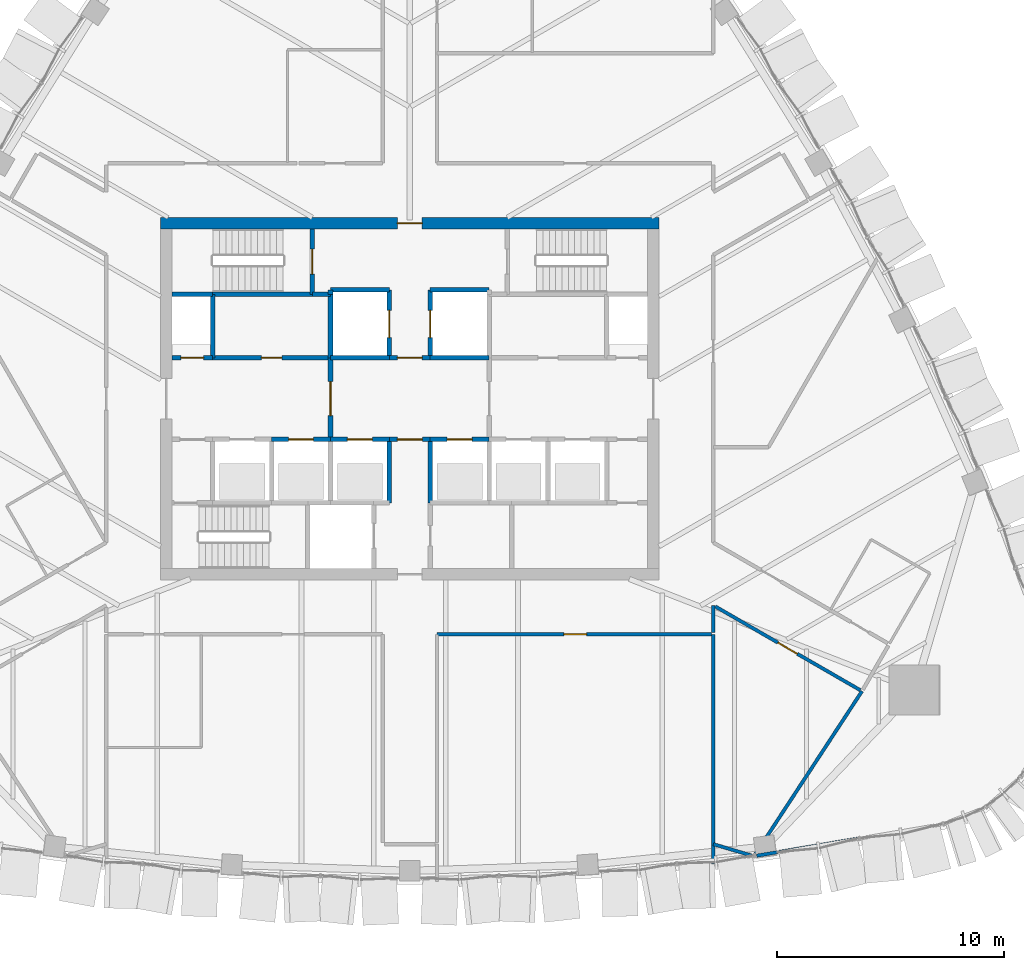
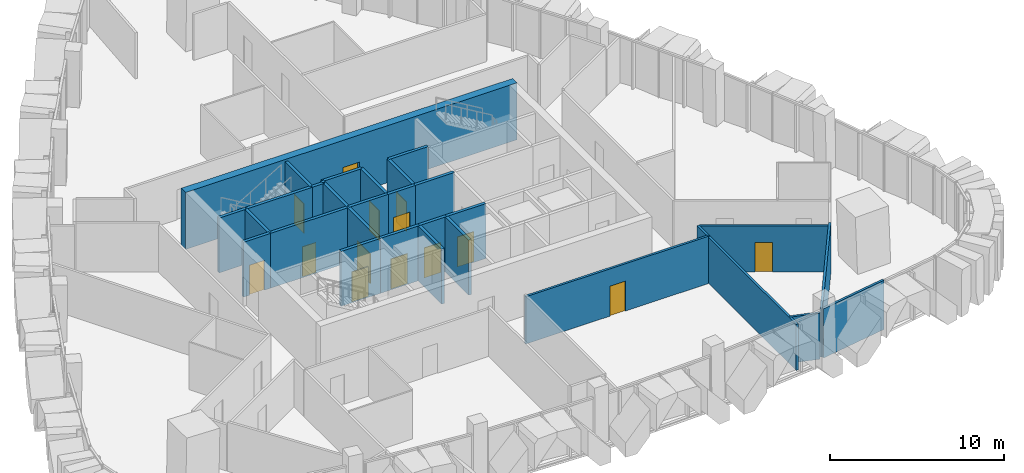
# One storey, part 13 of 19: 31 walls, 14 doors, 14 openings.
"""IFC4 building model written with IfcOpenShell, lengths in metres."""

from ifc_helpers import new_model, si_unit, direction, frame, frame_2d, origin, place, context, subcontext, project, spatial, rectangle, extrude, material, layer, layer_set, type_object, element, fill, save


model = new_model("IFC4")

# Units and contexts
model_context = context("Model", 3, precision=1e-05, world=origin(), true_north=direction((0.0, 1.0)))
body_context = subcontext(model_context, "Body", "Model", "MODEL_VIEW")
ifc_project = project(units=[si_unit("LENGTHUNIT", "METRE"), si_unit("AREAUNIT", "SQUARE_METRE"), si_unit("VOLUMEUNIT", "CUBIC_METRE"), si_unit("PLANEANGLEUNIT", "RADIAN"), si_unit("MASSUNIT", "GRAM", prefix="KILO")], contexts=[model_context])

# Site, building, storey
site_placement = place(None, origin())
site = spatial("IfcSite", under=ifc_project, at=site_placement, CompositionType="ELEMENT")
building_placement = place(site_placement, origin())
building = spatial("IfcBuilding", under=site, at=building_placement, Name="Sierra Prisma Convention Tower", CompositionType="ELEMENT")
storey_placement = place(building_placement, frame((0.0, 0.0, 231.0)))
storey = spatial("IfcBuildingStorey", under=building, at=storey_placement, Name="L51", CompositionType="ELEMENT", Elevation=231.0)

# Wall, opening, door
ifc_material_1 = material(Name="Concrete C30/37", Category="concrete")
ifc_layer_1 = layer(ifc_material_1, 0.199951171875)
ifc_layer_set_1 = layer_set([ifc_layer_1], Name="Core wall RC 200 C30/37")
wall_type_1 = type_object("IfcWallType", Name="Core wall RC 200 C30/37", PredefinedType="SOLIDWALL", material=ifc_layer_set_1)
wall_1_placement = place(storey_placement, frame((-8.699951171875, 1.800048828125, 0.0), z_axis=(0.0, 0.0, 1.0), x_axis=(-1.0, 0.0, 0.0)))
wall_1 = element("IfcWall", 1, at=wall_1_placement, inside=storey, type_object=wall_type_1, Name="Core wall L51 3", PredefinedType="SOLIDWALL", context=body_context, shape_type="SweptSolid", body=[
    extrude(rectangle(XDim=1.800048828125, YDim=0.199951171875, at=frame_2d((0.89990234375, 0.0))), origin(), (0.0, 0.0, 1.0), 3.85009765625),
])
opening_1_placement = place(wall_1_placement, frame((0.39990234375, 0.0, 0.0)))
opening_1 = element("IfcOpeningElement", 2, at=opening_1_placement, cuts=wall_1, Name="Opening L51-D015", PredefinedType="OPENING", context=body_context, shape_type="SweptSolid", body=[
    extrude(rectangle(XDim=1.0, YDim=2.10009765625, at=frame_2d((0.5, 1.050048828125))), frame((0.0, 0.10009765625, 0.0), z_axis=(0.0, -1.0, 0.0), x_axis=(1.0, 0.0, 0.0)), (0.0, 0.0, 1.0), 0.199951171875),
])
ifc_material_2 = material(Name="Steel fire door leaf", Category="steel")
door_type_1 = type_object("IfcDoorType", Name="Door 1000x2100 FD60S", OperationType="SINGLE_SWING_LEFT", PredefinedType="DOOR", material=ifc_material_2)
door_1_placement = place(opening_1_placement, origin())
door_1 = element("IfcDoor", 3, at=door_1_placement, inside=storey, type_object=door_type_1, Name="Door L51 31", OperationType="SINGLE_SWING_LEFT", OverallHeight=2.10009765625, OverallWidth=1.0, PredefinedType="DOOR", context=body_context, shape_type="SweptSolid", body=[
    extrude(rectangle(XDim=1.0, YDim=2.10009765625, at=frame_2d((0.5, 1.050048828125))), frame((0.0, 0.02490234375, 0.0), z_axis=(0.0, -1.0, 0.0), x_axis=(1.0, 0.0, 0.0)), (0.0, 0.0, 1.0), 0.050048828125),
])
fill(opening_1, door_1)

# Wall
wall_2_placement = place(storey_placement, frame((-8.699951171875, 4.60009765625, 0.0), z_axis=(0.0, 0.0, 1.0), x_axis=(-1.0, 0.0, 0.0)))
element("IfcWall", 4, at=wall_2_placement, inside=storey, type_object=wall_type_1, Name="Core wall L51 4", PredefinedType="SOLIDWALL", context=body_context, shape_type="SweptSolid", body=[
    extrude(rectangle(XDim=1.800048828125, YDim=0.199951171875, at=frame_2d((0.89990234375, 0.0))), origin(), (0.0, 0.0, 1.0), 3.85009765625),
])

# Wall, opening, door
wall_3_placement = place(storey_placement, frame((-8.699951171875, 1.800048828125, 0.0), z_axis=(0.0, 0.0, 1.0), x_axis=(1.0, 0.0, 0.0)))
wall_3 = element("IfcWall", 5, at=wall_3_placement, inside=storey, type_object=wall_type_1, Name="Core wall L51 8", PredefinedType="SOLIDWALL", context=body_context, shape_type="SweptSolid", body=[
    extrude(rectangle(XDim=5.199951171875, YDim=0.199951171875, at=frame_2d((2.60009765625, 0.0))), origin(), (0.0, 0.0, 1.0), 3.85009765625),
])
opening_2_placement = place(wall_3_placement, frame((2.14990234375, 0.0, 0.0)))
opening_2 = element("IfcOpeningElement", 6, at=opening_2_placement, cuts=wall_3, Name="Opening L51-D021", PredefinedType="OPENING", context=body_context, shape_type="SweptSolid", body=[
    extrude(rectangle(XDim=0.89990234375, YDim=2.10009765625, at=frame_2d((0.449951171875, 1.050048828125))), frame((0.0, 0.10009765625, 0.0), z_axis=(0.0, -1.0, 0.0), x_axis=(1.0, 0.0, 0.0)), (0.0, 0.0, 1.0), 0.199951171875),
])
ifc_material_3 = material(Name="Steel fire door leaf", Category="steel")
door_type_2 = type_object("IfcDoorType", Name="Door 900x2100 FD30S", OperationType="SINGLE_SWING_LEFT", PredefinedType="DOOR", material=ifc_material_3)
door_2_placement = place(opening_2_placement, origin())
door_2 = element("IfcDoor", 7, at=door_2_placement, inside=storey, type_object=door_type_2, Name="Door L51 37", OperationType="SINGLE_SWING_LEFT", OverallHeight=2.10009765625, OverallWidth=0.89990234375, PredefinedType="DOOR", context=body_context, shape_type="SweptSolid", body=[
    extrude(rectangle(XDim=0.89990234375, YDim=2.10009765625, at=frame_2d((0.449951171875, 1.050048828125))), frame((0.0, 0.02490234375, 0.0), z_axis=(0.0, -1.0, 0.0), x_axis=(1.0, 0.0, 0.0)), (0.0, 0.0, 1.0), 0.050048828125),
])
fill(opening_2, door_2)

# Walls
wall_4_placement = place(storey_placement, frame((-8.699951171875, 4.60009765625, 0.0), z_axis=(0.0, 0.0, 1.0), x_axis=(0.0, -1.0, 0.0)))
element("IfcWall", 8, at=wall_4_placement, inside=storey, type_object=wall_type_1, Name="Core wall L51 9", PredefinedType="SOLIDWALL", context=body_context, shape_type="SweptSolid", body=[
    extrude(rectangle(XDim=2.800048828125, YDim=0.199951171875, at=frame_2d((1.39990234375, 0.0))), origin(), (0.0, 0.0, 1.0), 3.85009765625),
])
wall_5_placement = place(storey_placement, frame((-4.300048828125, 4.60009765625, 0.0), z_axis=(0.0, 0.0, 1.0), x_axis=(-1.0, 0.0, 0.0)))
element("IfcWall", 9, at=wall_5_placement, inside=storey, type_object=wall_type_1, Name="Core wall L51 10", PredefinedType="SOLIDWALL", context=body_context, shape_type="SweptSolid", body=[
    extrude(rectangle(XDim=4.39990234375, YDim=0.199951171875, at=frame_2d((2.199951171875, 0.0))), origin(), (0.0, 0.0, 1.0), 3.85009765625),
])

# Wall, opening, door
wall_6_placement = place(storey_placement, frame((-6.10009765625, -1.800048828125, 0.0), z_axis=(0.0, 0.0, 1.0), x_axis=(1.0, 0.0, 0.0)))
wall_6 = element("IfcWall", 10, at=wall_6_placement, inside=storey, type_object=wall_type_1, Name="Core wall L51 13", PredefinedType="SOLIDWALL", context=body_context, shape_type="SweptSolid", body=[
    extrude(rectangle(XDim=2.60009765625, YDim=0.199951171875, at=frame_2d((1.300048828125, 0.0))), origin(), (0.0, 0.0, 1.0), 3.85009765625),
])
opening_3_placement = place(wall_6_placement, frame((0.75, 0.0, 0.0)))
opening_3 = element("IfcOpeningElement", 11, at=opening_3_placement, cuts=wall_6, Name="Opening L51-D002", PredefinedType="OPENING", context=body_context, shape_type="SweptSolid", body=[
    extrude(rectangle(XDim=1.10009765625, YDim=2.10009765625, at=frame_2d((0.550048828125, 1.050048828125))), frame((0.0, 0.10009765625, 0.0), z_axis=(0.0, -1.0, 0.0), x_axis=(1.0, 0.0, 0.0)), (0.0, 0.0, 1.0), 0.199951171875),
])
ifc_material_4 = material(Name="Steel fire door leaf", Category="steel")
door_type_3 = type_object("IfcDoorType", Name="Door 1100x2100 EI 90 sliding lift landing", OperationType="SLIDING_TO_LEFT", PredefinedType="DOOR", material=ifc_material_4)
door_3_placement = place(opening_3_placement, origin())
door_3 = element("IfcDoor", 12, at=door_3_placement, inside=storey, type_object=door_type_3, Name="Door L51 18", OperationType="SLIDING_TO_RIGHT", OverallHeight=2.10009765625, OverallWidth=1.10009765625, PredefinedType="DOOR", context=body_context, shape_type="SweptSolid", body=[
    extrude(rectangle(XDim=1.10009765625, YDim=2.10009765625, at=frame_2d((0.550048828125, 1.050048828125))), frame((0.0, 0.02490234375, 0.0), z_axis=(0.0, -1.0, 0.0), x_axis=(1.0, 0.0, 0.0)), (0.0, 0.0, 1.0), 0.050048828125),
])
fill(opening_3, door_3)

# Wall
wall_7_placement = place(storey_placement, frame((-3.5, 4.60009765625, 0.0), z_axis=(0.0, 0.0, 1.0), x_axis=(-1.0, 0.0, 0.0)))
element("IfcWall", 13, at=wall_7_placement, inside=storey, type_object=wall_type_1, Name="Core wall L51 16", PredefinedType="SOLIDWALL", context=body_context, shape_type="SweptSolid", body=[
    extrude(rectangle(XDim=0.800048828125, YDim=0.199951171875, at=frame_2d((0.39990234375, 0.0))), origin(), (0.0, 0.0, 1.0), 3.85009765625),
])

# Wall, opening, door
wall_8_placement = place(storey_placement, frame((-4.300048828125, 4.60009765625, 0.0), z_axis=(0.0, 0.0, 1.0), x_axis=(0.0, 1.0, 0.0)))
wall_8 = element("IfcWall", 14, at=wall_8_placement, inside=storey, type_object=wall_type_1, Name="Core wall L51 17", PredefinedType="SOLIDWALL", context=body_context, shape_type="SweptSolid", body=[
    extrude(rectangle(XDim=2.89990234375, YDim=0.199951171875, at=frame_2d((1.449951171875, 0.0))), origin(), (0.0, 0.0, 1.0), 3.85009765625),
])
opening_4_placement = place(wall_8_placement, frame((0.89990234375, 0.0, 0.0)))
opening_4 = element("IfcOpeningElement", 15, at=opening_4_placement, cuts=wall_8, Name="Opening L51-D018", PredefinedType="OPENING", context=body_context, shape_type="SweptSolid", body=[
    extrude(rectangle(XDim=1.10009765625, YDim=2.10009765625, at=frame_2d((0.550048828125, 1.050048828125))), frame((0.0, 0.10009765625, 0.0), z_axis=(0.0, -1.0, 0.0), x_axis=(1.0, 0.0, 0.0)), (0.0, 0.0, 1.0), 0.199951171875),
])
ifc_material_5 = material(Name="Steel fire door leaf", Category="steel")
door_type_4 = type_object("IfcDoorType", Name="Door 1100x2100 FD90S", OperationType="SINGLE_SWING_LEFT", PredefinedType="DOOR", material=ifc_material_5)
door_4_placement = place(opening_4_placement, origin())
door_4 = element("IfcDoor", 16, at=door_4_placement, inside=storey, type_object=door_type_4, Name="Door L51 34", OperationType="SINGLE_SWING_LEFT", OverallHeight=2.10009765625, OverallWidth=1.10009765625, PredefinedType="DOOR", context=body_context, shape_type="SweptSolid", body=[
    extrude(rectangle(XDim=1.10009765625, YDim=2.10009765625, at=frame_2d((0.550048828125, 1.050048828125))), frame((0.0, 0.02490234375, 0.0), z_axis=(0.0, -1.0, 0.0), x_axis=(1.0, 0.0, 0.0)), (0.0, 0.0, 1.0), 0.050048828125),
])
fill(opening_4, door_4)

wall_9_placement = place(storey_placement, frame((-3.5, -1.800048828125, 0.0), z_axis=(0.0, 0.0, 1.0), x_axis=(1.0, 0.0, 0.0)))
wall_9 = element("IfcWall", 17, at=wall_9_placement, inside=storey, type_object=wall_type_1, Name="Core wall L51 20", PredefinedType="SOLIDWALL", context=body_context, shape_type="SweptSolid", body=[
    extrude(rectangle(XDim=2.60009765625, YDim=0.199951171875, at=frame_2d((1.300048828125, 0.0))), origin(), (0.0, 0.0, 1.0), 3.85009765625),
])
opening_5_placement = place(wall_9_placement, frame((0.75, 0.0, 0.0)))
opening_5 = element("IfcOpeningElement", 18, at=opening_5_placement, cuts=wall_9, Name="Opening L51-D003", PredefinedType="OPENING", context=body_context, shape_type="SweptSolid", body=[
    extrude(rectangle(XDim=1.10009765625, YDim=2.10009765625, at=frame_2d((0.550048828125, 1.050048828125))), frame((0.0, 0.10009765625, 0.0), z_axis=(0.0, -1.0, 0.0), x_axis=(1.0, 0.0, 0.0)), (0.0, 0.0, 1.0), 0.199951171875),
])
door_5_placement = place(opening_5_placement, origin())
door_5 = element("IfcDoor", 19, at=door_5_placement, inside=storey, type_object=door_type_3, Name="Door L51 19", OperationType="SLIDING_TO_LEFT", OverallHeight=2.10009765625, OverallWidth=1.10009765625, PredefinedType="DOOR", context=body_context, shape_type="SweptSolid", body=[
    extrude(rectangle(XDim=1.10009765625, YDim=2.10009765625, at=frame_2d((0.550048828125, 1.050048828125))), frame((0.0, 0.02490234375, 0.0), z_axis=(0.0, -1.0, 0.0), x_axis=(1.0, 0.0, 0.0)), (0.0, 0.0, 1.0), 0.050048828125),
])
fill(opening_5, door_5)

wall_10_placement = place(storey_placement, frame((-3.5, 1.800048828125, 0.0), z_axis=(0.0, 0.0, 1.0), x_axis=(0.0, -1.0, 0.0)))
wall_10 = element("IfcWall", 20, at=wall_10_placement, inside=storey, type_object=wall_type_1, Name="Core wall L51 21", PredefinedType="SOLIDWALL", context=body_context, shape_type="SweptSolid", body=[
    extrude(rectangle(XDim=3.60009765625, YDim=0.199951171875, at=frame_2d((1.800048828125, 0.0))), origin(), (0.0, 0.0, 1.0), 3.85009765625),
])
opening_6_placement = place(wall_10_placement, frame((1.050048828125, 0.0, 0.0)))
opening_6 = element("IfcOpeningElement", 21, at=opening_6_placement, cuts=wall_10, Name="Opening L51-D010", PredefinedType="OPENING", context=body_context, shape_type="SweptSolid", body=[
    extrude(rectangle(XDim=1.5, YDim=2.10009765625, at=frame_2d((0.75, 1.050048828125))), frame((0.0, 0.10009765625, 0.0), z_axis=(0.0, -1.0, 0.0), x_axis=(1.0, 0.0, 0.0)), (0.0, 0.0, 1.0), 0.199951171875),
])
ifc_material_6 = material(Name="Steel fire door leaf", Category="steel")
door_type_5 = type_object("IfcDoorType", Name="Door 1500x2100 FD30S", OperationType="DOUBLE_DOOR_SINGLE_SWING", PredefinedType="DOOR", material=ifc_material_6)
door_6_placement = place(opening_6_placement, origin())
door_6 = element("IfcDoor", 22, at=door_6_placement, inside=storey, type_object=door_type_5, Name="Door L51 26", OperationType="DOUBLE_DOOR_SINGLE_SWING", OverallHeight=2.10009765625, OverallWidth=1.5, PredefinedType="DOOR", context=body_context, shape_type="SweptSolid", body=[
    extrude(rectangle(XDim=1.5, YDim=2.10009765625, at=frame_2d((0.75, 1.050048828125))), frame((0.0, 0.02490234375, 0.0), z_axis=(0.0, -1.0, 0.0), x_axis=(1.0, 0.0, 0.0)), (0.0, 0.0, 1.0), 0.050048828125),
])
fill(opening_6, door_6)

# Walls
wall_11_placement = place(storey_placement, frame((-0.89990234375, 1.800048828125, 0.0), z_axis=(0.0, 0.0, 1.0), x_axis=(-1.0, 0.0, 0.0)))
element("IfcWall", 23, at=wall_11_placement, inside=storey, type_object=wall_type_1, Name="Core wall L51 22", PredefinedType="SOLIDWALL", context=body_context, shape_type="SweptSolid", body=[
    extrude(rectangle(XDim=2.60009765625, YDim=0.199951171875, at=frame_2d((1.300048828125, 0.0))), origin(), (0.0, 0.0, 1.0), 3.85009765625),
])
wall_12_placement = place(storey_placement, frame((-3.5, 1.800048828125, 0.0), z_axis=(0.0, 0.0, 1.0), x_axis=(0.0, 1.0, 0.0)))
element("IfcWall", 24, at=wall_12_placement, inside=storey, type_object=wall_type_1, Name="Core wall L51 23", PredefinedType="SOLIDWALL", context=body_context, shape_type="SweptSolid", body=[
    extrude(rectangle(XDim=2.800048828125, YDim=0.199951171875, at=frame_2d((1.39990234375, 0.0))), origin(), (0.0, 0.0, 1.0), 3.85009765625),
])

# Wall, opening, door
wall_13_placement = place(storey_placement, frame((-0.89990234375, 1.800048828125, 0.0), z_axis=(0.0, 0.0, 1.0), x_axis=(0.0, 1.0, 0.0)))
wall_13 = element("IfcWall", 25, at=wall_13_placement, inside=storey, type_object=wall_type_1, Name="Core wall L51 24", PredefinedType="SOLIDWALL", context=body_context, shape_type="SweptSolid", body=[
    extrude(rectangle(XDim=3.0, YDim=0.199951171875, at=frame_2d((1.5, 0.0))), origin(), (0.0, 0.0, 1.0), 3.85009765625),
])
opening_7_placement = place(wall_13_placement, frame((0.89990234375, 0.0, 0.0)))
opening_7 = element("IfcOpeningElement", 26, at=opening_7_placement, cuts=wall_13, Name="Opening L51-D007", PredefinedType="OPENING", context=body_context, shape_type="SweptSolid", body=[
    extrude(rectangle(XDim=1.199951171875, YDim=2.10009765625, at=frame_2d((0.60009765625, 1.050048828125))), frame((0.0, 0.10009765625, 0.0), z_axis=(0.0, -1.0, 0.0), x_axis=(1.0, 0.0, 0.0)), (0.0, 0.0, 1.0), 0.199951171875),
])
ifc_material_7 = material(Name="Steel fire door leaf", Category="steel")
door_type_6 = type_object("IfcDoorType", Name="Door 1200x2100 EI 90 sliding lift landing", OperationType="SLIDING_TO_LEFT", PredefinedType="DOOR", material=ifc_material_7)
door_7_placement = place(opening_7_placement, origin())
door_7 = element("IfcDoor", 27, at=door_7_placement, inside=storey, type_object=door_type_6, Name="Door L51 23", OperationType="SLIDING_TO_LEFT", OverallHeight=2.10009765625, OverallWidth=1.199951171875, PredefinedType="DOOR", context=body_context, shape_type="SweptSolid", body=[
    extrude(rectangle(XDim=1.199951171875, YDim=2.10009765625, at=frame_2d((0.60009765625, 1.050048828125))), frame((0.0, 0.02490234375, 0.0), z_axis=(0.0, -1.0, 0.0), x_axis=(1.0, 0.0, 0.0)), (0.0, 0.0, 1.0), 0.050048828125),
])
fill(opening_7, door_7)

# Walls
wall_14_placement = place(storey_placement, frame((-0.89990234375, 4.800048828125, 0.0), z_axis=(0.0, 0.0, 1.0), x_axis=(-1.0, 0.0, 0.0)))
element("IfcWall", 28, at=wall_14_placement, inside=storey, type_object=wall_type_1, Name="Core wall L51 25", PredefinedType="SOLIDWALL", context=body_context, shape_type="SweptSolid", body=[
    extrude(rectangle(XDim=2.60009765625, YDim=0.199951171875, at=frame_2d((1.300048828125, 0.0))), origin(), (0.0, 0.0, 1.0), 3.85009765625),
])
wall_15_placement = place(storey_placement, frame((-3.5, 4.800048828125, 0.0), z_axis=(0.0, 0.0, 1.0), x_axis=(0.0, -1.0, 0.0)))
element("IfcWall", 29, at=wall_15_placement, inside=storey, type_object=wall_type_1, Name="Core wall L51 26", PredefinedType="SOLIDWALL", context=body_context, shape_type="SweptSolid", body=[
    extrude(rectangle(XDim=0.199951171875, YDim=0.199951171875, at=frame_2d((0.10009765625, 0.0))), origin(), (0.0, 0.0, 1.0), 3.85009765625),
])
wall_16_placement = place(storey_placement, frame((-0.89990234375, -4.60009765625, 0.0), z_axis=(0.0, 0.0, 1.0), x_axis=(0.0, 1.0, 0.0)))
element("IfcWall", 30, at=wall_16_placement, inside=storey, type_object=wall_type_1, Name="Core wall L51 29", PredefinedType="SOLIDWALL", context=body_context, shape_type="SweptSolid", body=[
    extrude(rectangle(XDim=2.800048828125, YDim=0.199951171875, at=frame_2d((1.39990234375, 0.0))), origin(), (0.0, 0.0, 1.0), 3.85009765625),
])

# Wall, opening, door
wall_17_placement = place(storey_placement, frame((-0.89990234375, -1.800048828125, 0.0), z_axis=(0.0, 0.0, 1.0), x_axis=(1.0, 0.0, 0.0)))
wall_17 = element("IfcWall", 31, at=wall_17_placement, inside=storey, type_object=wall_type_1, Name="Core wall L51 30", PredefinedType="SOLIDWALL", context=body_context, shape_type="SweptSolid", body=[
    extrude(rectangle(XDim=1.7998046875, YDim=0.199951171875, at=frame_2d((0.89990234375, 0.0))), origin(), (0.0, 0.0, 1.0), 3.85009765625),
])
opening_8_placement = place(wall_17_placement, frame((0.35009765625, 0.0, 0.0)))
opening_8 = element("IfcOpeningElement", 32, at=opening_8_placement, cuts=wall_17, Name="Opening L51-D014", PredefinedType="OPENING", context=body_context, shape_type="SweptSolid", body=[
    extrude(rectangle(XDim=1.10009765625, YDim=2.10009765625, at=frame_2d((0.550048828125, 1.050048828125))), frame((0.0, 0.10009765625, 0.0), z_axis=(0.0, -1.0, 0.0), x_axis=(1.0, 0.0, 0.0)), (0.0, 0.0, 1.0), 0.199951171875),
])
ifc_material_8 = material(Name="Steel fire door leaf", Category="steel")
door_type_7 = type_object("IfcDoorType", Name="Door 1100x2100 FD30S", OperationType="SINGLE_SWING_LEFT", PredefinedType="DOOR", material=ifc_material_8)
door_8_placement = place(opening_8_placement, origin())
door_8 = element("IfcDoor", 33, at=door_8_placement, inside=storey, type_object=door_type_7, Name="Door L51 30", OperationType="SINGLE_SWING_RIGHT", OverallHeight=2.10009765625, OverallWidth=1.10009765625, PredefinedType="DOOR", context=body_context, shape_type="SweptSolid", body=[
    extrude(rectangle(XDim=1.10009765625, YDim=2.10009765625, at=frame_2d((0.550048828125, 1.050048828125))), frame((0.0, 0.02490234375, 0.0), z_axis=(0.0, -1.0, 0.0), x_axis=(1.0, 0.0, 0.0)), (0.0, 0.0, 1.0), 0.050048828125),
])
fill(opening_8, door_8)

wall_18_placement = place(storey_placement, frame((0.89990234375, 1.800048828125, 0.0), z_axis=(0.0, 0.0, 1.0), x_axis=(-1.0, 0.0, 0.0)))
wall_18 = element("IfcWall", 34, at=wall_18_placement, inside=storey, type_object=wall_type_1, Name="Core wall L51 31", PredefinedType="SOLIDWALL", context=body_context, shape_type="SweptSolid", body=[
    extrude(rectangle(XDim=1.7998046875, YDim=0.199951171875, at=frame_2d((0.89990234375, 0.0))), origin(), (0.0, 0.0, 1.0), 3.85009765625),
])
opening_9_placement = place(wall_18_placement, frame((0.35009765625, 0.0, 0.0)))
opening_9 = element("IfcOpeningElement", 35, at=opening_9_placement, cuts=wall_18, Name="Opening L51-D013", PredefinedType="OPENING", context=body_context, shape_type="SweptSolid", body=[
    extrude(rectangle(XDim=1.10009765625, YDim=2.10009765625, at=frame_2d((0.550048828125, 1.050048828125))), frame((0.0, 0.10009765625, 0.0), z_axis=(0.0, -1.0, 0.0), x_axis=(1.0, 0.0, 0.0)), (0.0, 0.0, 1.0), 0.199951171875),
])
ifc_material_9 = material(Name="Steel fire door leaf", Category="steel")
door_type_8 = type_object("IfcDoorType", Name="Door 1100x2100 FD60S", OperationType="SINGLE_SWING_LEFT", PredefinedType="DOOR", material=ifc_material_9)
door_9_placement = place(opening_9_placement, origin())
door_9 = element("IfcDoor", 36, at=door_9_placement, inside=storey, type_object=door_type_8, Name="Door L51 29", OperationType="SINGLE_SWING_RIGHT", OverallHeight=2.10009765625, OverallWidth=1.10009765625, PredefinedType="DOOR", context=body_context, shape_type="SweptSolid", body=[
    extrude(rectangle(XDim=1.10009765625, YDim=2.10009765625, at=frame_2d((0.550048828125, 1.050048828125))), frame((0.0, 0.02490234375, 0.0), z_axis=(0.0, -1.0, 0.0), x_axis=(1.0, 0.0, 0.0)), (0.0, 0.0, 1.0), 0.050048828125),
])
fill(opening_9, door_9)

# Wall
wall_19_placement = place(storey_placement, frame((0.89990234375, -1.800048828125, 0.0), z_axis=(0.0, 0.0, 1.0), x_axis=(0.0, -1.0, 0.0)))
element("IfcWall", 37, at=wall_19_placement, inside=storey, type_object=wall_type_1, Name="Core wall L51 34", PredefinedType="SOLIDWALL", context=body_context, shape_type="SweptSolid", body=[
    extrude(rectangle(XDim=2.800048828125, YDim=0.199951171875, at=frame_2d((1.39990234375, 0.0))), origin(), (0.0, 0.0, 1.0), 3.85009765625),
])

# Wall, opening, door
wall_20_placement = place(storey_placement, frame((0.89990234375, -1.800048828125, 0.0), z_axis=(0.0, 0.0, 1.0), x_axis=(1.0, 0.0, 0.0)))
wall_20 = element("IfcWall", 38, at=wall_20_placement, inside=storey, type_object=wall_type_1, Name="Core wall L51 35", PredefinedType="SOLIDWALL", context=body_context, shape_type="SweptSolid", body=[
    extrude(rectangle(XDim=2.60009765625, YDim=0.199951171875, at=frame_2d((1.300048828125, 0.0))), origin(), (0.0, 0.0, 1.0), 3.85009765625),
])
opening_10_placement = place(wall_20_placement, frame((0.75, 0.0, 0.0)))
opening_10 = element("IfcOpeningElement", 39, at=opening_10_placement, cuts=wall_20, Name="Opening L51-D004", PredefinedType="OPENING", context=body_context, shape_type="SweptSolid", body=[
    extrude(rectangle(XDim=1.10009765625, YDim=2.10009765625, at=frame_2d((0.550048828125, 1.050048828125))), frame((0.0, 0.10009765625, 0.0), z_axis=(0.0, -1.0, 0.0), x_axis=(1.0, 0.0, 0.0)), (0.0, 0.0, 1.0), 0.199951171875),
])
door_10_placement = place(opening_10_placement, origin())
door_10 = element("IfcDoor", 40, at=door_10_placement, inside=storey, type_object=door_type_3, Name="Door L51 20", OperationType="SLIDING_TO_LEFT", OverallHeight=2.10009765625, OverallWidth=1.10009765625, PredefinedType="DOOR", context=body_context, shape_type="SweptSolid", body=[
    extrude(rectangle(XDim=1.10009765625, YDim=2.10009765625, at=frame_2d((0.550048828125, 1.050048828125))), frame((0.0, 0.02490234375, 0.0), z_axis=(0.0, -1.0, 0.0), x_axis=(1.0, 0.0, 0.0)), (0.0, 0.0, 1.0), 0.050048828125),
])
fill(opening_10, door_10)

# Walls
for number, where, z_axis, x_axis, name in (
    (41, (3.5, 1.800048828125, 0.0), (0.0, 0.0, 1.0), (-1.0, 0.0, 0.0), "Core wall L51 36"),
    (42, (3.5, 4.800048828125, 0.0), (0.0, 0.0, 1.0), (-1.0, 0.0, 0.0), "Core wall L51 38"),
):
    element("IfcWall", number, at=place(storey_placement, frame(where, z_axis=z_axis, x_axis=x_axis)), inside=storey, type_object=wall_type_1, Name=name, PredefinedType="SOLIDWALL", context=body_context, shape_type="SweptSolid", body=[
        extrude(rectangle(XDim=2.60009765625, YDim=0.199951171875, at=frame_2d((1.300048828125, 0.0))), origin(), (0.0, 0.0, 1.0), 3.85009765625),
    ])

# Wall, opening, door
wall_21_placement = place(storey_placement, frame((0.89990234375, 4.800048828125, 0.0), z_axis=(0.0, 0.0, 1.0), x_axis=(0.0, -1.0, 0.0)))
wall_21 = element("IfcWall", 43, at=wall_21_placement, inside=storey, type_object=wall_type_1, Name="Core wall L51 39", PredefinedType="SOLIDWALL", context=body_context, shape_type="SweptSolid", body=[
    extrude(rectangle(XDim=3.0, YDim=0.199951171875, at=frame_2d((1.5, 0.0))), origin(), (0.0, 0.0, 1.0), 3.85009765625),
])
opening_11_placement = place(wall_21_placement, frame((0.89990234375, 0.0, 0.0)))
opening_11 = element("IfcOpeningElement", 44, at=opening_11_placement, cuts=wall_21, Name="Opening L51-D008", PredefinedType="OPENING", context=body_context, shape_type="SweptSolid", body=[
    extrude(rectangle(XDim=1.199951171875, YDim=2.10009765625, at=frame_2d((0.60009765625, 1.050048828125))), frame((0.0, 0.10009765625, 0.0), z_axis=(0.0, -1.0, 0.0), x_axis=(1.0, 0.0, 0.0)), (0.0, 0.0, 1.0), 0.199951171875),
])
door_11_placement = place(opening_11_placement, origin())
door_11 = element("IfcDoor", 45, at=door_11_placement, inside=storey, type_object=door_type_6, Name="Door L51 24", OperationType="SLIDING_TO_LEFT", OverallHeight=2.10009765625, OverallWidth=1.199951171875, PredefinedType="DOOR", context=body_context, shape_type="SweptSolid", body=[
    extrude(rectangle(XDim=1.199951171875, YDim=2.10009765625, at=frame_2d((0.60009765625, 1.050048828125))), frame((0.0, 0.02490234375, 0.0), z_axis=(0.0, -1.0, 0.0), x_axis=(1.0, 0.0, 0.0)), (0.0, 0.0, 1.0), 0.050048828125),
])
fill(opening_11, door_11)

ifc_material_10 = material(Name="Concrete C50/60", Category="concrete")
ifc_layer_2 = layer(ifc_material_10, 0.5)
ifc_layer_set_2 = layer_set([ifc_layer_2], Name="Core wall RC 500 C50/60")
wall_type_2 = type_object("IfcWallType", Name="Core wall RC 500 C50/60", PredefinedType="SHEAR", material=ifc_layer_set_2)
wall_22_placement = place(storey_placement, frame((-11.0, 7.75, 0.0), z_axis=(0.0, 0.0, 1.0), x_axis=(1.0, 0.0, 0.0)))
wall_22 = element("IfcWall", 46, at=wall_22_placement, inside=storey, type_object=wall_type_2, Name="Core wall N L51", PredefinedType="SHEAR", context=body_context, shape_type="SweptSolid", body=[
    extrude(rectangle(XDim=22.0, YDim=0.5, at=frame_2d((11.0, 0.0))), origin(), (0.0, 0.0, 1.0), 4.0),
])
opening_12_placement = place(wall_22_placement, frame((10.449951171875, 0.0, 0.0)))
opening_12 = element("IfcOpeningElement", 47, at=opening_12_placement, cuts=wall_22, Name="Opening L51-D042", PredefinedType="OPENING", context=body_context, shape_type="SweptSolid", body=[
    extrude(rectangle(XDim=1.10009765625, YDim=2.10009765625, at=frame_2d((0.550048828125, 1.050048828125))), frame((0.0, 0.25, 0.0), z_axis=(0.0, -1.0, 0.0), x_axis=(1.0, 0.0, 0.0)), (0.0, 0.0, 1.0), 0.5),
])
door_12_placement = place(opening_12_placement, origin())
door_12 = element("IfcDoor", 48, at=door_12_placement, inside=storey, type_object=door_type_8, Name="Door L51 43", OperationType="SINGLE_SWING_LEFT", OverallHeight=2.10009765625, OverallWidth=1.10009765625, PredefinedType="DOOR", context=body_context, shape_type="SweptSolid", body=[
    extrude(rectangle(XDim=1.10009765625, YDim=2.10009765625, at=frame_2d((0.550048828125, 1.050048828125))), frame((0.0, 0.02490234375, 0.0), z_axis=(0.0, -1.0, 0.0), x_axis=(1.0, 0.0, 0.0)), (0.0, 0.0, 1.0), 0.050048828125),
])
fill(opening_12, door_12)

ifc_material_11 = material(Name="Gypsum board partition", Category="gypsum")
ifc_layer_3 = layer(ifc_material_11, 0.14990234375)
ifc_layer_set_3 = layer_set([ifc_layer_3], Name="Corridor wall 150 gypsum EI 60")
wall_type_3 = type_object("IfcWallType", Name="Corridor wall 150 gypsum EI 60", PredefinedType="PARTITIONING", material=ifc_layer_set_3)
wall_23_placement = place(storey_placement, frame((1.199951171875, -10.39990234375, 0.0), z_axis=(0.0, 0.0, 1.0), x_axis=(1.0, 0.0, 0.0)))
wall_23 = element("IfcWall", 49, at=wall_23_placement, inside=storey, type_object=wall_type_3, Name="Partition L51 corr 18", PredefinedType="PARTITIONING", context=body_context, shape_type="SweptSolid", body=[
    extrude(rectangle(XDim=12.1201171875, YDim=0.14990234375, at=frame_2d((6.06005859375, 0.0))), origin(), (0.0, 0.0, 1.0), 3.31689453125),
])
opening_13_placement = place(wall_23_placement, frame((5.60009765625, 0.0, 0.0)))
opening_13 = element("IfcOpeningElement", 50, at=opening_13_placement, cuts=wall_23, Name="Opening L51-D037", PredefinedType="OPENING", context=body_context, shape_type="SweptSolid", body=[
    extrude(rectangle(XDim=1.0, YDim=2.10009765625, at=frame_2d((0.5, 1.050048828125))), frame((0.0, 0.074951171875, 0.0), z_axis=(0.0, -1.0, 0.0), x_axis=(1.0, 0.0, 0.0)), (0.0, 0.0, 1.0), 0.14990234375),
])
ifc_material_12 = material(Name="Steel fire door leaf", Category="steel")
door_type_9 = type_object("IfcDoorType", Name="Door 1000x2100 FD30S", OperationType="SINGLE_SWING_LEFT", PredefinedType="DOOR", material=ifc_material_12)
door_13_placement = place(opening_13_placement, origin())
door_13 = element("IfcDoor", 51, at=door_13_placement, inside=storey, type_object=door_type_9, Name="Door L51 13", OperationType="SINGLE_SWING_RIGHT", OverallHeight=2.10009765625, OverallWidth=1.0, PredefinedType="DOOR", context=body_context, shape_type="SweptSolid", body=[
    extrude(rectangle(XDim=1.0, YDim=2.10009765625, at=frame_2d((0.5, 1.050048828125))), frame((0.0, 0.02490234375, 0.0), z_axis=(0.0, -1.0, 0.0), x_axis=(1.0, 0.0, 0.0)), (0.0, 0.0, 1.0), 0.050048828125),
])
fill(opening_13, door_13)

# Wall
wall_24_placement = place(storey_placement, frame((13.39990234375, -10.320068359375, 0.0), z_axis=(0.0, 0.0, 1.0), x_axis=(0.0, 1.0, 0.0)))
element("IfcWall", 52, at=wall_24_placement, inside=storey, type_object=wall_type_3, Name="Partition L51 corr 21", PredefinedType="PARTITIONING", context=body_context, shape_type="SweptSolid", body=[
    extrude(rectangle(XDim=1.197998046875, YDim=0.14990234375, at=frame_2d((0.59912109375, 0.0))), origin(), (0.0, 0.0, 1.0), 3.23291015625),
])

# Wall, opening, door
wall_25_placement = place(storey_placement, frame((13.479248046875, -9.16796875, 0.0), z_axis=(0.0, 0.0, 1.0), x_axis=(0.866024691562, -0.500001233604, 0.0)))
wall_25 = element("IfcWall", 53, at=wall_25_placement, inside=storey, type_object=wall_type_3, Name="Partition L51 corr 22", PredefinedType="PARTITIONING", context=body_context, shape_type="SweptSolid", body=[
    extrude(rectangle(XDim=7.40380859375, YDim=0.14990234375, at=frame_2d((3.701904296875, 0.0))), origin(), (0.0, 0.0, 1.0), 3.23291015625),
])
opening_14_placement = place(wall_25_placement, frame((3.196044921875, 0.0, 0.0)))
opening_14 = element("IfcOpeningElement", 54, at=opening_14_placement, cuts=wall_25, Name="Opening L51-D038", PredefinedType="OPENING", context=body_context, shape_type="SweptSolid", body=[
    extrude(rectangle(XDim=1.0, YDim=2.10009765625, at=frame_2d((0.5, 1.050048828125))), frame((0.0, 0.074951171875, 0.0), z_axis=(0.0, -1.0, 0.0), x_axis=(1.0, 0.0, 0.0)), (0.0, 0.0, 1.0), 0.14990234375),
])
door_14_placement = place(opening_14_placement, origin())
door_14 = element("IfcDoor", 55, at=door_14_placement, inside=storey, type_object=door_type_9, Name="Door L51 14", OperationType="SINGLE_SWING_LEFT", OverallHeight=2.10009765625, OverallWidth=1.0, PredefinedType="DOOR", context=body_context, shape_type="SweptSolid", body=[
    extrude(rectangle(XDim=1.0, YDim=2.10009765625, at=frame_2d((0.5, 1.050048828125))), frame((0.0, 0.02490234375, 0.0), z_axis=(0.0, -1.0, 0.0), x_axis=(1.0, 0.0, 0.0)), (0.0, 0.0, 1.0), 0.050048828125),
])
fill(opening_14, door_14)

# Walls
ifc_material_13 = material(Name="Gypsum board partition", Category="gypsum")
ifc_layer_4 = layer(ifc_material_13, 0.14990234375)
ifc_layer_set_4 = layer_set([ifc_layer_4], Name="Party wall 150 gypsum")
wall_type_4 = type_object("IfcWallType", Name="Party wall 150 gypsum", PredefinedType="PARTITIONING", material=ifc_layer_set_4)
wall_26_placement = place(storey_placement, frame((13.39990234375, -10.39990234375, 0.0), z_axis=(0.0, 0.0, 1.0), x_axis=(0.0, -1.0, 0.0)))
element("IfcWall", 56, at=wall_26_placement, inside=storey, type_object=wall_type_4, Name="Partition L51 party 10", PredefinedType="PARTITIONING", context=body_context, shape_type="SweptSolid", body=[
    extrude(rectangle(XDim=10.1435546875, YDim=0.14990234375, at=frame_2d((5.07177734375, 0.0))), origin(), (0.0, 0.0, 1.0), 3.23388671875),
])
wall_27_placement = place(storey_placement, frame((13.39990234375, -19.662841796875, 0.0), z_axis=(0.0, 0.0, 1.0), x_axis=(0.958455635455, -0.285241642935, 0.0)))
element("IfcWall", 57, at=wall_27_placement, inside=storey, type_object=wall_type_4, Name="Partition L51 party 11", PredefinedType="PARTITIONING", context=body_context, shape_type="SweptSolid", body=[
    extrude(rectangle(XDim=1.787109375, YDim=0.14990234375, at=frame_2d((0.8935546875, 0.0))), origin(), (0.0, 0.0, 1.0), 3.23388671875),
])
wall_28_placement = place(storey_placement, frame((15.31298828125, -20.172607421875, 0.0), z_axis=(0.0, 0.0, 1.0), x_axis=(0.9860457512, 0.16647455223, 0.0)))
element("IfcWall", 58, at=wall_28_placement, inside=storey, type_object=wall_type_4, Name="Partition L51 party 14", PredefinedType="PARTITIONING", context=body_context, shape_type="SweptSolid", body=[
    extrude(rectangle(XDim=4.500732421875, YDim=0.14990234375, at=frame_2d((2.25048828125, 0.0))), origin(), (0.0, 0.0, 1.0), 3.449951171875),
])
wall_29_placement = place(storey_placement, frame((19.96044921875, -12.909912109375, 0.0), z_axis=(0.0, 0.0, 1.0), x_axis=(-0.547697942309, -0.836676140445, 0.0)))
element("IfcWall", 59, at=wall_29_placement, inside=storey, type_object=wall_type_4, Name="Partition L51 party 15", PredefinedType="PARTITIONING", context=body_context, shape_type="SweptSolid", body=[
    extrude(rectangle(XDim=8.576904296875, YDim=0.14990234375, at=frame_2d((4.28857421875, 0.0))), origin(), (0.0, 0.0, 1.0), 3.449951171875),
])

save(model, "model.ifc")
